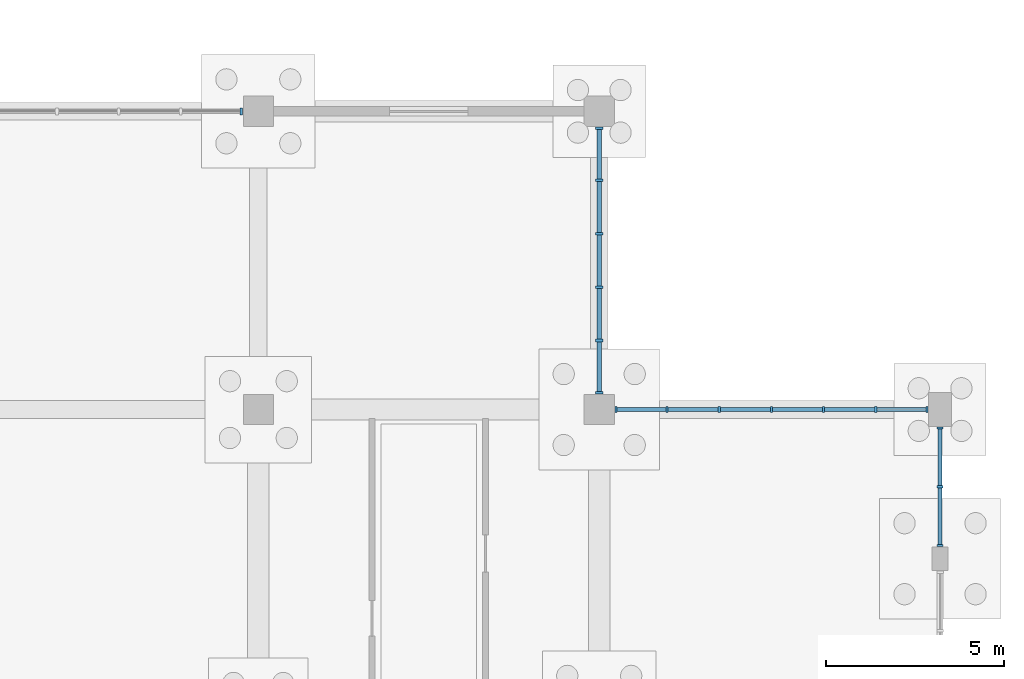
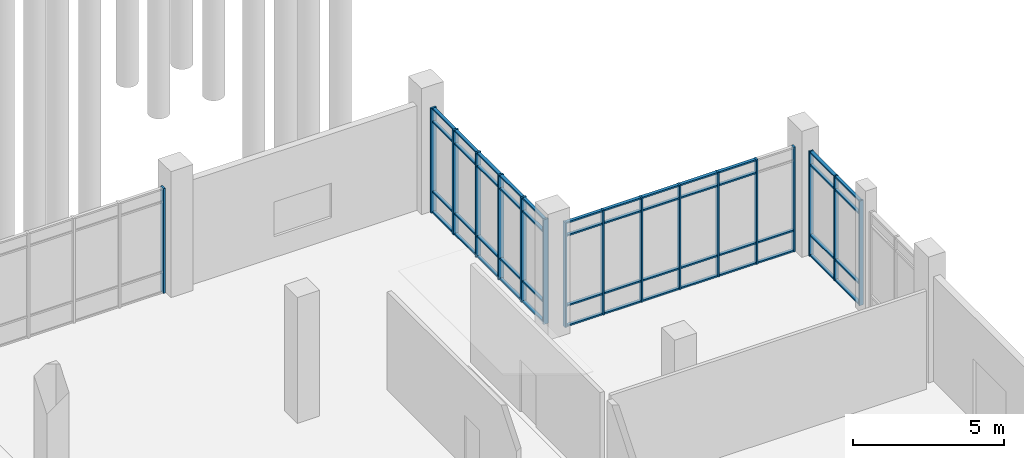
# One storey, part 63 of 136: 67 members, 4 elements without a shape of their own.
"""IFC4 building model written with IfcOpenShell, lengths in metres."""

from ifc_helpers import new_model, si_unit, direction, frame, origin, origin_2d, place, context, subcontext, project, spatial, rectangle, extrude, material, material_profile, profile_set, type_object, element, aggregate, save


model = new_model("IFC4")

# Units and contexts
model_context = context("Model", 3, precision=1e-05, world=origin(), true_north=direction((0.0, 1.0)))
body_context = subcontext(model_context, "Body", "Model", "MODEL_VIEW")
ifc_project = project(units=[si_unit("LENGTHUNIT", "METRE"), si_unit("AREAUNIT", "SQUARE_METRE"), si_unit("VOLUMEUNIT", "CUBIC_METRE"), si_unit("PLANEANGLEUNIT", "RADIAN"), si_unit("MASSUNIT", "GRAM", prefix="KILO")], contexts=[model_context])

# Site, building, storey
site_placement = place(None, origin())
site = spatial("IfcSite", under=ifc_project, at=site_placement, CompositionType="ELEMENT")
building_placement = place(site_placement, origin())
building = spatial("IfcBuilding", under=site, at=building_placement, Name="Oolite Switchyard Hospital", CompositionType="ELEMENT")
storey_placement = place(building_placement, origin())
storey = spatial("IfcBuildingStorey", under=building, at=storey_placement, Name="L00", CompositionType="ELEMENT", Elevation=0.0)

# Curtain wall, members
ifc_material_1 = material(Name="Thermally broken aluminum frame with laminated impact glazing", Category="aluminium")
curtain_wall_type_1 = type_object("IfcCurtainWallType", Name="CW-UNIT-96X51", PredefinedType="USERDEFINED", material=ifc_material_1)
curtain_wall_1_placement = place(storey_placement, origin())
curtain_wall_1 = element("IfcCurtainWall", 1, at=curtain_wall_1_placement, inside=storey, type_object=curtain_wall_type_1, Name="L00 Unitised Curtain Wall 24", ObjectType="UNITISED", PredefinedType="USERDEFINED")
ifc_material_2 = material(Name="Aluminium 6063-T6", Category="aluminium")
ifc_material_profile_1 = material_profile(ifc_material_2, rectangle(XDim=0.159912109375, YDim=0.06005859375, at=origin_2d()), Name="CWM60X160")
ifc_profile_set_1 = profile_set([ifc_material_profile_1], Name="Aluminium 6063-T6")
member_type_1 = type_object("IfcMemberType", Name="CW-MUL-180", PredefinedType="MULLION", material=ifc_profile_set_1)
member_1_placement = place(storey_placement, frame((202.070068359375, 67.199951171875, 0.0), z_axis=(0.0, 0.0, 1.0), x_axis=(0.0, 1.0, 0.0)))
member_1 = element("IfcMember", 2, at=member_1_placement, type_object=member_type_1, Name="CW-01 mullion 1", PredefinedType="MULLION", context=body_context, shape_type="SweptSolid", body=[
    extrude(rectangle(XDim=0.159912109375, YDim=0.06005859375, at=origin_2d()), origin(), (0.0, 0.0, 1.0), 4.239990234375),
])
member_2_placement = place(storey_placement, frame((203.510009765625, 67.199951171875, 0.0), z_axis=(0.0, 0.0, 1.0), x_axis=(0.0, 1.0, 0.0)))
member_2 = element("IfcMember", 3, at=member_2_placement, type_object=member_type_1, Name="CW-01 mullion 2", PredefinedType="MULLION", context=body_context, shape_type="SweptSolid", body=[
    extrude(rectangle(XDim=0.159912109375, YDim=0.06005859375, at=origin_2d()), origin(), (0.0, 0.0, 1.0), 4.239990234375),
])
member_3_placement = place(storey_placement, frame((204.97998046875, 67.199951171875, 0.0), z_axis=(0.0, 0.0, 1.0), x_axis=(0.0, 1.0, 0.0)))
member_3 = element("IfcMember", 4, at=member_3_placement, type_object=member_type_1, Name="CW-01 mullion 3", PredefinedType="MULLION", context=body_context, shape_type="SweptSolid", body=[
    extrude(rectangle(XDim=0.159912109375, YDim=0.06005859375, at=origin_2d()), origin(), (0.0, 0.0, 1.0), 4.239990234375),
])
member_4_placement = place(storey_placement, frame((206.449951171875, 67.199951171875, 0.0), z_axis=(0.0, 0.0, 1.0), x_axis=(0.0, 1.0, 0.0)))
member_4 = element("IfcMember", 5, at=member_4_placement, type_object=member_type_1, Name="CW-01 mullion 4", PredefinedType="MULLION", context=body_context, shape_type="SweptSolid", body=[
    extrude(rectangle(XDim=0.159912109375, YDim=0.06005859375, at=origin_2d()), origin(), (0.0, 0.0, 1.0), 4.239990234375),
])
member_5_placement = place(storey_placement, frame((207.919921875, 67.199951171875, 0.0), z_axis=(0.0, 0.0, 1.0), x_axis=(0.0, 1.0, 0.0)))
member_5 = element("IfcMember", 6, at=member_5_placement, type_object=member_type_1, Name="CW-01 mullion 5", PredefinedType="MULLION", context=body_context, shape_type="SweptSolid", body=[
    extrude(rectangle(XDim=0.159912109375, YDim=0.06005859375, at=origin_2d()), origin(), (0.0, 0.0, 1.0), 4.239990234375),
])
member_6_placement = place(storey_placement, frame((209.389892578125, 67.199951171875, 0.0), z_axis=(0.0, 0.0, 1.0), x_axis=(0.0, 1.0, 0.0)))
member_6 = element("IfcMember", 7, at=member_6_placement, type_object=member_type_1, Name="CW-01 mullion 6", PredefinedType="MULLION", context=body_context, shape_type="SweptSolid", body=[
    extrude(rectangle(XDim=0.159912109375, YDim=0.06005859375, at=origin_2d()), origin(), (0.0, 0.0, 1.0), 4.239990234375),
])
member_7_placement = place(storey_placement, frame((210.830078125, 67.199951171875, 0.0), z_axis=(0.0, 0.0, 1.0), x_axis=(0.0, 1.0, 0.0)))
member_7 = element("IfcMember", 8, at=member_7_placement, type_object=member_type_1, Name="CW-01 mullion 7", PredefinedType="MULLION", context=body_context, shape_type="SweptSolid", body=[
    extrude(rectangle(XDim=0.159912109375, YDim=0.06005859375, at=origin_2d()), origin(), (0.0, 0.0, 1.0), 4.239990234375),
])

curtain_wall_type_2 = type_object("IfcCurtainWallType", Name="CW-UNIT-84X51", PredefinedType="USERDEFINED", material=ifc_material_1)
curtain_wall_2_placement = place(storey_placement, origin())
curtain_wall_2 = element("IfcCurtainWall", 9, at=curtain_wall_2_placement, inside=storey, type_object=curtain_wall_type_2, Name="L00 Unitised Curtain Wall 90", ObjectType="UNITISED", PredefinedType="USERDEFINED")
member_8_placement = place(storey_placement, frame((211.199951171875, 66.679931640625, 0.0), z_axis=(0.0, 0.0, 1.0), x_axis=(1.0, 0.0, 0.0)))
member_8 = element("IfcMember", 10, at=member_8_placement, type_object=member_type_1, Name="CW-06 mullion 1", PredefinedType="MULLION", context=body_context, shape_type="SweptSolid", body=[
    extrude(rectangle(XDim=0.159912109375, YDim=0.06005859375, at=origin_2d()), origin(), (0.0, 0.0, 1.0), 4.239990234375),
])
member_9_placement = place(storey_placement, frame((211.199951171875, 65.02490234375, 0.0), z_axis=(0.0, 0.0, 1.0), x_axis=(1.0, 0.0, 0.0)))
member_9 = element("IfcMember", 11, at=member_9_placement, type_object=member_type_1, Name="CW-06 mullion 2", PredefinedType="MULLION", context=body_context, shape_type="SweptSolid", body=[
    extrude(rectangle(XDim=0.159912109375, YDim=0.06005859375, at=origin_2d()), origin(), (0.0, 0.0, 1.0), 4.239990234375),
])
member_10_placement = place(storey_placement, frame((211.199951171875, 63.3701171875, 0.0), z_axis=(0.0, 0.0, 1.0), x_axis=(1.0, 0.0, 0.0)))
member_10 = element("IfcMember", 12, at=member_10_placement, type_object=member_type_1, Name="CW-06 mullion 3", PredefinedType="MULLION", context=body_context, shape_type="SweptSolid", body=[
    extrude(rectangle(XDim=0.159912109375, YDim=0.06005859375, at=origin_2d()), origin(), (0.0, 0.0, 1.0), 4.239990234375),
])

# Curtain wall, member
curtain_wall_3_placement = place(storey_placement, origin())
curtain_wall_3 = element("IfcCurtainWall", 13, at=curtain_wall_3_placement, inside=storey, type_object=curtain_wall_type_1, Name="L00 Unitised Curtain Wall 26", ObjectType="UNITISED", PredefinedType="USERDEFINED")
ifc_material_profile_2 = material_profile(ifc_material_2, rectangle(XDim=0.199951171875, YDim=0.074951171875, at=origin_2d()), Name="CWM75X200")
ifc_profile_set_2 = profile_set([ifc_material_profile_2], Name="Aluminium 6063-T6")
member_type_2 = type_object("IfcMemberType", Name="CW-MUL-260", PredefinedType="MULLION", material=ifc_profile_set_2)
member_11_placement = place(storey_placement, frame((191.5224609375, 75.60009765625, 0.0), z_axis=(0.0, 0.0, 1.0), x_axis=(0.0, 1.0, 0.0)))
member_11 = element("IfcMember", 14, at=member_11_placement, type_object=member_type_2, Name="CW-01 mullion 6", PredefinedType="MULLION", context=body_context, shape_type="SweptSolid", body=[
    extrude(rectangle(XDim=0.199951171875, YDim=0.074951171875, at=origin_2d()), origin(), (0.0, 0.0, 1.0), 4.239990234375),
])
aggregate(curtain_wall_3, [member_11])

# Curtain wall, members
curtain_wall_4_placement = place(storey_placement, origin())
curtain_wall_4 = element("IfcCurtainWall", 15, at=curtain_wall_4_placement, inside=storey, type_object=curtain_wall_type_2, Name="L00 Unitised Curtain Wall 86", ObjectType="UNITISED", PredefinedType="USERDEFINED")
member_12_placement = place(storey_placement, frame((201.60009765625, 75.12255859375, 0.0), z_axis=(0.0, 0.0, 1.0), x_axis=(1.0, 0.0, 0.0)))
member_12 = element("IfcMember", 16, at=member_12_placement, type_object=member_type_2, Name="CW-06 mullion 1", PredefinedType="MULLION", context=body_context, shape_type="SweptSolid", body=[
    extrude(rectangle(XDim=0.199951171875, YDim=0.074951171875, at=origin_2d()), origin(), (0.0, 0.0, 1.0), 4.239990234375),
])
member_13_placement = place(storey_placement, frame((201.60009765625, 73.656005859375, 0.0), z_axis=(0.0, 0.0, 1.0), x_axis=(1.0, 0.0, 0.0)))
member_13 = element("IfcMember", 17, at=member_13_placement, type_object=member_type_2, Name="CW-06 mullion 2", PredefinedType="MULLION", context=body_context, shape_type="SweptSolid", body=[
    extrude(rectangle(XDim=0.199951171875, YDim=0.074951171875, at=origin_2d()), origin(), (0.0, 0.0, 1.0), 4.239990234375),
])
member_14_placement = place(storey_placement, frame((201.60009765625, 72.152099609375, 0.0), z_axis=(0.0, 0.0, 1.0), x_axis=(1.0, 0.0, 0.0)))
member_14 = element("IfcMember", 18, at=member_14_placement, type_object=member_type_2, Name="CW-06 mullion 3", PredefinedType="MULLION", context=body_context, shape_type="SweptSolid", body=[
    extrude(rectangle(XDim=0.199951171875, YDim=0.074951171875, at=origin_2d()), origin(), (0.0, 0.0, 1.0), 4.239990234375),
])
member_15_placement = place(storey_placement, frame((201.60009765625, 70.64794921875, 0.0), z_axis=(0.0, 0.0, 1.0), x_axis=(1.0, 0.0, 0.0)))
member_15 = element("IfcMember", 19, at=member_15_placement, type_object=member_type_2, Name="CW-06 mullion 4", PredefinedType="MULLION", context=body_context, shape_type="SweptSolid", body=[
    extrude(rectangle(XDim=0.199951171875, YDim=0.074951171875, at=origin_2d()), origin(), (0.0, 0.0, 1.0), 4.239990234375),
])
member_16_placement = place(storey_placement, frame((201.60009765625, 69.14404296875, 0.0), z_axis=(0.0, 0.0, 1.0), x_axis=(1.0, 0.0, 0.0)))
member_16 = element("IfcMember", 20, at=member_16_placement, type_object=member_type_2, Name="CW-06 mullion 5", PredefinedType="MULLION", context=body_context, shape_type="SweptSolid", body=[
    extrude(rectangle(XDim=0.199951171875, YDim=0.074951171875, at=origin_2d()), origin(), (0.0, 0.0, 1.0), 4.239990234375),
])
member_17_placement = place(storey_placement, frame((201.60009765625, 67.677490234375, 0.0), z_axis=(0.0, 0.0, 1.0), x_axis=(1.0, 0.0, 0.0)))
member_17 = element("IfcMember", 21, at=member_17_placement, type_object=member_type_2, Name="CW-06 mullion 6", PredefinedType="MULLION", context=body_context, shape_type="SweptSolid", body=[
    extrude(rectangle(XDim=0.199951171875, YDim=0.074951171875, at=origin_2d()), origin(), (0.0, 0.0, 1.0), 4.239990234375),
])

# Member
ifc_material_profile_3 = material_profile(ifc_material_2, rectangle(XDim=0.1201171875, YDim=0.06005859375, at=origin_2d()), Name="CWT60X120")
ifc_profile_set_3 = profile_set([ifc_material_profile_3], Name="Aluminium 6063-T6")
member_type_3 = type_object("IfcMemberType", Name="CW-TRN-150", PredefinedType="USERDEFINED", material=ifc_profile_set_3)
member_18_placement = place(storey_placement, frame((202.10009765625, 67.199951171875, 0.030029296875), z_axis=(1.0, 0.0, 0.0), x_axis=(0.0, 1.0, 0.0)))
member_18 = element("IfcMember", 22, at=member_18_placement, type_object=member_type_3, Name="CW-01 transom 1.1", ObjectType="TRANSOM", PredefinedType="USERDEFINED", context=body_context, shape_type="SweptSolid", body=[
    extrude(rectangle(XDim=0.1201171875, YDim=0.06005859375, at=origin_2d()), origin(), (0.0, 0.0, 1.0), 1.3798828125),
])

member_19_placement = place(storey_placement, frame((202.10009765625, 67.199951171875, 0.85009765625), z_axis=(1.0, 0.0, 0.0), x_axis=(0.0, 1.0, 0.0)))
member_19 = element("IfcMember", 23, at=member_19_placement, type_object=member_type_3, Name="CW-01 transom 1.2", ObjectType="TRANSOM", PredefinedType="USERDEFINED", context=body_context, shape_type="SweptSolid", body=[
    extrude(rectangle(XDim=0.1201171875, YDim=0.06005859375, at=origin_2d()), origin(), (0.0, 0.0, 1.0), 1.3798828125),
])

member_20_placement = place(storey_placement, frame((202.10009765625, 67.199951171875, 3.68994140625), z_axis=(1.0, 0.0, 0.0), x_axis=(0.0, 1.0, 0.0)))
member_20 = element("IfcMember", 24, at=member_20_placement, type_object=member_type_3, Name="CW-01 transom 1.3", ObjectType="TRANSOM", PredefinedType="USERDEFINED", context=body_context, shape_type="SweptSolid", body=[
    extrude(rectangle(XDim=0.1201171875, YDim=0.06005859375, at=origin_2d()), origin(), (0.0, 0.0, 1.0), 1.3798828125),
])

member_21_placement = place(storey_placement, frame((202.10009765625, 67.199951171875, 4.2099609375), z_axis=(1.0, 0.0, 0.0), x_axis=(0.0, 1.0, 0.0)))
member_21 = element("IfcMember", 25, at=member_21_placement, type_object=member_type_3, Name="CW-01 transom 1.4", ObjectType="TRANSOM", PredefinedType="USERDEFINED", context=body_context, shape_type="SweptSolid", body=[
    extrude(rectangle(XDim=0.1201171875, YDim=0.06005859375, at=origin_2d()), origin(), (0.0, 0.0, 1.0), 1.3798828125),
])

member_22_placement = place(storey_placement, frame((203.5400390625, 67.199951171875, 0.030029296875), z_axis=(1.0, 0.0, 0.0), x_axis=(0.0, 1.0, 0.0)))
member_22 = element("IfcMember", 26, at=member_22_placement, type_object=member_type_3, Name="CW-01 transom 2.1", ObjectType="TRANSOM", PredefinedType="USERDEFINED", context=body_context, shape_type="SweptSolid", body=[
    extrude(rectangle(XDim=0.1201171875, YDim=0.06005859375, at=origin_2d()), origin(), (0.0, 0.0, 1.0), 1.409912109375),
])

member_23_placement = place(storey_placement, frame((203.5400390625, 67.199951171875, 0.85009765625), z_axis=(1.0, 0.0, 0.0), x_axis=(0.0, 1.0, 0.0)))
member_23 = element("IfcMember", 27, at=member_23_placement, type_object=member_type_3, Name="CW-01 transom 2.2", ObjectType="TRANSOM", PredefinedType="USERDEFINED", context=body_context, shape_type="SweptSolid", body=[
    extrude(rectangle(XDim=0.1201171875, YDim=0.06005859375, at=origin_2d()), origin(), (0.0, 0.0, 1.0), 1.409912109375),
])

member_24_placement = place(storey_placement, frame((203.5400390625, 67.199951171875, 3.68994140625), z_axis=(1.0, 0.0, 0.0), x_axis=(0.0, 1.0, 0.0)))
member_24 = element("IfcMember", 28, at=member_24_placement, type_object=member_type_3, Name="CW-01 transom 2.3", ObjectType="TRANSOM", PredefinedType="USERDEFINED", context=body_context, shape_type="SweptSolid", body=[
    extrude(rectangle(XDim=0.1201171875, YDim=0.06005859375, at=origin_2d()), origin(), (0.0, 0.0, 1.0), 1.409912109375),
])

member_25_placement = place(storey_placement, frame((203.5400390625, 67.199951171875, 4.2099609375), z_axis=(1.0, 0.0, 0.0), x_axis=(0.0, 1.0, 0.0)))
member_25 = element("IfcMember", 29, at=member_25_placement, type_object=member_type_3, Name="CW-01 transom 2.4", ObjectType="TRANSOM", PredefinedType="USERDEFINED", context=body_context, shape_type="SweptSolid", body=[
    extrude(rectangle(XDim=0.1201171875, YDim=0.06005859375, at=origin_2d()), origin(), (0.0, 0.0, 1.0), 1.409912109375),
])

member_26_placement = place(storey_placement, frame((205.010009765625, 67.199951171875, 0.030029296875), z_axis=(1.0, 0.0, 0.0), x_axis=(0.0, 1.0, 0.0)))
member_26 = element("IfcMember", 30, at=member_26_placement, type_object=member_type_3, Name="CW-01 transom 3.1", ObjectType="TRANSOM", PredefinedType="USERDEFINED", context=body_context, shape_type="SweptSolid", body=[
    extrude(rectangle(XDim=0.1201171875, YDim=0.06005859375, at=origin_2d()), origin(), (0.0, 0.0, 1.0), 1.409912109375),
])

member_27_placement = place(storey_placement, frame((205.010009765625, 67.199951171875, 0.85009765625), z_axis=(1.0, 0.0, 0.0), x_axis=(0.0, 1.0, 0.0)))
member_27 = element("IfcMember", 31, at=member_27_placement, type_object=member_type_3, Name="CW-01 transom 3.2", ObjectType="TRANSOM", PredefinedType="USERDEFINED", context=body_context, shape_type="SweptSolid", body=[
    extrude(rectangle(XDim=0.1201171875, YDim=0.06005859375, at=origin_2d()), origin(), (0.0, 0.0, 1.0), 1.409912109375),
])

member_28_placement = place(storey_placement, frame((205.010009765625, 67.199951171875, 3.68994140625), z_axis=(1.0, 0.0, 0.0), x_axis=(0.0, 1.0, 0.0)))
member_28 = element("IfcMember", 32, at=member_28_placement, type_object=member_type_3, Name="CW-01 transom 3.3", ObjectType="TRANSOM", PredefinedType="USERDEFINED", context=body_context, shape_type="SweptSolid", body=[
    extrude(rectangle(XDim=0.1201171875, YDim=0.06005859375, at=origin_2d()), origin(), (0.0, 0.0, 1.0), 1.409912109375),
])

member_29_placement = place(storey_placement, frame((205.010009765625, 67.199951171875, 4.2099609375), z_axis=(1.0, 0.0, 0.0), x_axis=(0.0, 1.0, 0.0)))
member_29 = element("IfcMember", 33, at=member_29_placement, type_object=member_type_3, Name="CW-01 transom 3.4", ObjectType="TRANSOM", PredefinedType="USERDEFINED", context=body_context, shape_type="SweptSolid", body=[
    extrude(rectangle(XDim=0.1201171875, YDim=0.06005859375, at=origin_2d()), origin(), (0.0, 0.0, 1.0), 1.409912109375),
])

member_30_placement = place(storey_placement, frame((206.47998046875, 67.199951171875, 0.030029296875), z_axis=(1.0, 0.0, 0.0), x_axis=(0.0, 1.0, 0.0)))
member_30 = element("IfcMember", 34, at=member_30_placement, type_object=member_type_3, Name="CW-01 transom 4.1", ObjectType="TRANSOM", PredefinedType="USERDEFINED", context=body_context, shape_type="SweptSolid", body=[
    extrude(rectangle(XDim=0.1201171875, YDim=0.06005859375, at=origin_2d()), origin(), (0.0, 0.0, 1.0), 1.409912109375),
])

member_31_placement = place(storey_placement, frame((206.47998046875, 67.199951171875, 0.85009765625), z_axis=(1.0, 0.0, 0.0), x_axis=(0.0, 1.0, 0.0)))
member_31 = element("IfcMember", 35, at=member_31_placement, type_object=member_type_3, Name="CW-01 transom 4.2", ObjectType="TRANSOM", PredefinedType="USERDEFINED", context=body_context, shape_type="SweptSolid", body=[
    extrude(rectangle(XDim=0.1201171875, YDim=0.06005859375, at=origin_2d()), origin(), (0.0, 0.0, 1.0), 1.409912109375),
])

member_32_placement = place(storey_placement, frame((206.47998046875, 67.199951171875, 3.68994140625), z_axis=(1.0, 0.0, 0.0), x_axis=(0.0, 1.0, 0.0)))
member_32 = element("IfcMember", 36, at=member_32_placement, type_object=member_type_3, Name="CW-01 transom 4.3", ObjectType="TRANSOM", PredefinedType="USERDEFINED", context=body_context, shape_type="SweptSolid", body=[
    extrude(rectangle(XDim=0.1201171875, YDim=0.06005859375, at=origin_2d()), origin(), (0.0, 0.0, 1.0), 1.409912109375),
])

member_33_placement = place(storey_placement, frame((206.47998046875, 67.199951171875, 4.2099609375), z_axis=(1.0, 0.0, 0.0), x_axis=(0.0, 1.0, 0.0)))
member_33 = element("IfcMember", 37, at=member_33_placement, type_object=member_type_3, Name="CW-01 transom 4.4", ObjectType="TRANSOM", PredefinedType="USERDEFINED", context=body_context, shape_type="SweptSolid", body=[
    extrude(rectangle(XDim=0.1201171875, YDim=0.06005859375, at=origin_2d()), origin(), (0.0, 0.0, 1.0), 1.409912109375),
])

member_34_placement = place(storey_placement, frame((207.949951171875, 67.199951171875, 0.030029296875), z_axis=(1.0, 0.0, 0.0), x_axis=(0.0, 1.0, 0.0)))
member_34 = element("IfcMember", 38, at=member_34_placement, type_object=member_type_3, Name="CW-01 transom 5.1", ObjectType="TRANSOM", PredefinedType="USERDEFINED", context=body_context, shape_type="SweptSolid", body=[
    extrude(rectangle(XDim=0.1201171875, YDim=0.06005859375, at=origin_2d()), origin(), (0.0, 0.0, 1.0), 1.41015625),
])

member_35_placement = place(storey_placement, frame((207.949951171875, 67.199951171875, 0.85009765625), z_axis=(1.0, 0.0, 0.0), x_axis=(0.0, 1.0, 0.0)))
member_35 = element("IfcMember", 39, at=member_35_placement, type_object=member_type_3, Name="CW-01 transom 5.2", ObjectType="TRANSOM", PredefinedType="USERDEFINED", context=body_context, shape_type="SweptSolid", body=[
    extrude(rectangle(XDim=0.1201171875, YDim=0.06005859375, at=origin_2d()), origin(), (0.0, 0.0, 1.0), 1.41015625),
])

member_36_placement = place(storey_placement, frame((207.949951171875, 67.199951171875, 3.68994140625), z_axis=(1.0, 0.0, 0.0), x_axis=(0.0, 1.0, 0.0)))
member_36 = element("IfcMember", 40, at=member_36_placement, type_object=member_type_3, Name="CW-01 transom 5.3", ObjectType="TRANSOM", PredefinedType="USERDEFINED", context=body_context, shape_type="SweptSolid", body=[
    extrude(rectangle(XDim=0.1201171875, YDim=0.06005859375, at=origin_2d()), origin(), (0.0, 0.0, 1.0), 1.41015625),
])

member_37_placement = place(storey_placement, frame((207.949951171875, 67.199951171875, 4.2099609375), z_axis=(1.0, 0.0, 0.0), x_axis=(0.0, 1.0, 0.0)))
member_37 = element("IfcMember", 41, at=member_37_placement, type_object=member_type_3, Name="CW-01 transom 5.4", ObjectType="TRANSOM", PredefinedType="USERDEFINED", context=body_context, shape_type="SweptSolid", body=[
    extrude(rectangle(XDim=0.1201171875, YDim=0.06005859375, at=origin_2d()), origin(), (0.0, 0.0, 1.0), 1.41015625),
])

member_38_placement = place(storey_placement, frame((209.419921875, 67.199951171875, 0.030029296875), z_axis=(1.0, 0.0, 0.0), x_axis=(0.0, 1.0, 0.0)))
member_38 = element("IfcMember", 42, at=member_38_placement, type_object=member_type_3, Name="CW-01 transom 6.1", ObjectType="TRANSOM", PredefinedType="USERDEFINED", context=body_context, shape_type="SweptSolid", body=[
    extrude(rectangle(XDim=0.1201171875, YDim=0.06005859375, at=origin_2d()), origin(), (0.0, 0.0, 1.0), 1.380126953125),
])

member_39_placement = place(storey_placement, frame((209.419921875, 67.199951171875, 0.85009765625), z_axis=(1.0, 0.0, 0.0), x_axis=(0.0, 1.0, 0.0)))
member_39 = element("IfcMember", 43, at=member_39_placement, type_object=member_type_3, Name="CW-01 transom 6.2", ObjectType="TRANSOM", PredefinedType="USERDEFINED", context=body_context, shape_type="SweptSolid", body=[
    extrude(rectangle(XDim=0.1201171875, YDim=0.06005859375, at=origin_2d()), origin(), (0.0, 0.0, 1.0), 1.380126953125),
])

aggregate(curtain_wall_1, [member_1, member_2, member_3, member_4, member_5, member_6, member_7, member_18, member_19, member_20, member_21, member_22, member_23, member_24, member_25, member_26, member_27, member_28, member_29, member_30, member_31, member_32, member_33, member_34, member_35, member_36, member_37, member_38, member_39])

member_40_placement = place(storey_placement, frame((201.60009765625, 75.0849609375, 0.030029296875), z_axis=(0.0, -1.0, 0.0), x_axis=(1.0, 0.0, 0.0)))
member_40 = element("IfcMember", 44, at=member_40_placement, type_object=member_type_3, Name="CW-06 transom 1.1", ObjectType="TRANSOM", PredefinedType="USERDEFINED", context=body_context, shape_type="SweptSolid", body=[
    extrude(rectangle(XDim=0.1201171875, YDim=0.06005859375, at=origin_2d()), origin(), (0.0, 0.0, 1.0), 1.391357421875),
])

member_41_placement = place(storey_placement, frame((201.60009765625, 75.0849609375, 0.85009765625), z_axis=(0.0, -1.0, 0.0), x_axis=(1.0, 0.0, 0.0)))
member_41 = element("IfcMember", 45, at=member_41_placement, type_object=member_type_3, Name="CW-06 transom 1.2", ObjectType="TRANSOM", PredefinedType="USERDEFINED", context=body_context, shape_type="SweptSolid", body=[
    extrude(rectangle(XDim=0.1201171875, YDim=0.06005859375, at=origin_2d()), origin(), (0.0, 0.0, 1.0), 1.391357421875),
])

member_42_placement = place(storey_placement, frame((201.60009765625, 75.0849609375, 3.68994140625), z_axis=(0.0, -1.0, 0.0), x_axis=(1.0, 0.0, 0.0)))
member_42 = element("IfcMember", 46, at=member_42_placement, type_object=member_type_3, Name="CW-06 transom 1.3", ObjectType="TRANSOM", PredefinedType="USERDEFINED", context=body_context, shape_type="SweptSolid", body=[
    extrude(rectangle(XDim=0.1201171875, YDim=0.06005859375, at=origin_2d()), origin(), (0.0, 0.0, 1.0), 1.391357421875),
])

member_43_placement = place(storey_placement, frame((201.60009765625, 75.0849609375, 4.2099609375), z_axis=(0.0, -1.0, 0.0), x_axis=(1.0, 0.0, 0.0)))
member_43 = element("IfcMember", 47, at=member_43_placement, type_object=member_type_3, Name="CW-06 transom 1.4", ObjectType="TRANSOM", PredefinedType="USERDEFINED", context=body_context, shape_type="SweptSolid", body=[
    extrude(rectangle(XDim=0.1201171875, YDim=0.06005859375, at=origin_2d()), origin(), (0.0, 0.0, 1.0), 1.391357421875),
])

member_44_placement = place(storey_placement, frame((201.60009765625, 73.618408203125, 0.030029296875), z_axis=(0.0, -1.0, 0.0), x_axis=(1.0, 0.0, 0.0)))
member_44 = element("IfcMember", 48, at=member_44_placement, type_object=member_type_3, Name="CW-06 transom 2.1", ObjectType="TRANSOM", PredefinedType="USERDEFINED", context=body_context, shape_type="SweptSolid", body=[
    extrude(rectangle(XDim=0.1201171875, YDim=0.06005859375, at=origin_2d()), origin(), (0.0, 0.0, 1.0), 1.428955078125),
])

member_45_placement = place(storey_placement, frame((201.60009765625, 73.618408203125, 0.85009765625), z_axis=(0.0, -1.0, 0.0), x_axis=(1.0, 0.0, 0.0)))
member_45 = element("IfcMember", 49, at=member_45_placement, type_object=member_type_3, Name="CW-06 transom 2.2", ObjectType="TRANSOM", PredefinedType="USERDEFINED", context=body_context, shape_type="SweptSolid", body=[
    extrude(rectangle(XDim=0.1201171875, YDim=0.06005859375, at=origin_2d()), origin(), (0.0, 0.0, 1.0), 1.428955078125),
])

member_46_placement = place(storey_placement, frame((201.60009765625, 73.618408203125, 3.68994140625), z_axis=(0.0, -1.0, 0.0), x_axis=(1.0, 0.0, 0.0)))
member_46 = element("IfcMember", 50, at=member_46_placement, type_object=member_type_3, Name="CW-06 transom 2.3", ObjectType="TRANSOM", PredefinedType="USERDEFINED", context=body_context, shape_type="SweptSolid", body=[
    extrude(rectangle(XDim=0.1201171875, YDim=0.06005859375, at=origin_2d()), origin(), (0.0, 0.0, 1.0), 1.428955078125),
])

member_47_placement = place(storey_placement, frame((201.60009765625, 73.618408203125, 4.2099609375), z_axis=(0.0, -1.0, 0.0), x_axis=(1.0, 0.0, 0.0)))
member_47 = element("IfcMember", 51, at=member_47_placement, type_object=member_type_3, Name="CW-06 transom 2.4", ObjectType="TRANSOM", PredefinedType="USERDEFINED", context=body_context, shape_type="SweptSolid", body=[
    extrude(rectangle(XDim=0.1201171875, YDim=0.06005859375, at=origin_2d()), origin(), (0.0, 0.0, 1.0), 1.428955078125),
])

member_48_placement = place(storey_placement, frame((201.60009765625, 72.114501953125, 0.030029296875), z_axis=(0.0, -1.0, 0.0), x_axis=(1.0, 0.0, 0.0)))
member_48 = element("IfcMember", 52, at=member_48_placement, type_object=member_type_3, Name="CW-06 transom 3.1", ObjectType="TRANSOM", PredefinedType="USERDEFINED", context=body_context, shape_type="SweptSolid", body=[
    extrude(rectangle(XDim=0.1201171875, YDim=0.06005859375, at=origin_2d()), origin(), (0.0, 0.0, 1.0), 1.428955078125),
])

member_49_placement = place(storey_placement, frame((201.60009765625, 72.114501953125, 0.85009765625), z_axis=(0.0, -1.0, 0.0), x_axis=(1.0, 0.0, 0.0)))
member_49 = element("IfcMember", 53, at=member_49_placement, type_object=member_type_3, Name="CW-06 transom 3.2", ObjectType="TRANSOM", PredefinedType="USERDEFINED", context=body_context, shape_type="SweptSolid", body=[
    extrude(rectangle(XDim=0.1201171875, YDim=0.06005859375, at=origin_2d()), origin(), (0.0, 0.0, 1.0), 1.428955078125),
])

member_50_placement = place(storey_placement, frame((201.60009765625, 72.114501953125, 3.68994140625), z_axis=(0.0, -1.0, 0.0), x_axis=(1.0, 0.0, 0.0)))
member_50 = element("IfcMember", 54, at=member_50_placement, type_object=member_type_3, Name="CW-06 transom 3.3", ObjectType="TRANSOM", PredefinedType="USERDEFINED", context=body_context, shape_type="SweptSolid", body=[
    extrude(rectangle(XDim=0.1201171875, YDim=0.06005859375, at=origin_2d()), origin(), (0.0, 0.0, 1.0), 1.428955078125),
])

member_51_placement = place(storey_placement, frame((201.60009765625, 72.114501953125, 4.2099609375), z_axis=(0.0, -1.0, 0.0), x_axis=(1.0, 0.0, 0.0)))
member_51 = element("IfcMember", 55, at=member_51_placement, type_object=member_type_3, Name="CW-06 transom 3.4", ObjectType="TRANSOM", PredefinedType="USERDEFINED", context=body_context, shape_type="SweptSolid", body=[
    extrude(rectangle(XDim=0.1201171875, YDim=0.06005859375, at=origin_2d()), origin(), (0.0, 0.0, 1.0), 1.428955078125),
])

member_52_placement = place(storey_placement, frame((201.60009765625, 70.610595703125, 0.030029296875), z_axis=(0.0, -1.0, 0.0), x_axis=(1.0, 0.0, 0.0)))
member_52 = element("IfcMember", 56, at=member_52_placement, type_object=member_type_3, Name="CW-06 transom 4.1", ObjectType="TRANSOM", PredefinedType="USERDEFINED", context=body_context, shape_type="SweptSolid", body=[
    extrude(rectangle(XDim=0.1201171875, YDim=0.06005859375, at=origin_2d()), origin(), (0.0, 0.0, 1.0), 1.42919921875),
])

member_53_placement = place(storey_placement, frame((201.60009765625, 70.610595703125, 0.85009765625), z_axis=(0.0, -1.0, 0.0), x_axis=(1.0, 0.0, 0.0)))
member_53 = element("IfcMember", 57, at=member_53_placement, type_object=member_type_3, Name="CW-06 transom 4.2", ObjectType="TRANSOM", PredefinedType="USERDEFINED", context=body_context, shape_type="SweptSolid", body=[
    extrude(rectangle(XDim=0.1201171875, YDim=0.06005859375, at=origin_2d()), origin(), (0.0, 0.0, 1.0), 1.42919921875),
])

member_54_placement = place(storey_placement, frame((201.60009765625, 70.610595703125, 3.68994140625), z_axis=(0.0, -1.0, 0.0), x_axis=(1.0, 0.0, 0.0)))
member_54 = element("IfcMember", 58, at=member_54_placement, type_object=member_type_3, Name="CW-06 transom 4.3", ObjectType="TRANSOM", PredefinedType="USERDEFINED", context=body_context, shape_type="SweptSolid", body=[
    extrude(rectangle(XDim=0.1201171875, YDim=0.06005859375, at=origin_2d()), origin(), (0.0, 0.0, 1.0), 1.42919921875),
])

member_55_placement = place(storey_placement, frame((201.60009765625, 70.610595703125, 4.2099609375), z_axis=(0.0, -1.0, 0.0), x_axis=(1.0, 0.0, 0.0)))
member_55 = element("IfcMember", 59, at=member_55_placement, type_object=member_type_3, Name="CW-06 transom 4.4", ObjectType="TRANSOM", PredefinedType="USERDEFINED", context=body_context, shape_type="SweptSolid", body=[
    extrude(rectangle(XDim=0.1201171875, YDim=0.06005859375, at=origin_2d()), origin(), (0.0, 0.0, 1.0), 1.42919921875),
])

member_56_placement = place(storey_placement, frame((201.60009765625, 69.1064453125, 0.030029296875), z_axis=(0.0, -1.0, 0.0), x_axis=(1.0, 0.0, 0.0)))
member_56 = element("IfcMember", 60, at=member_56_placement, type_object=member_type_3, Name="CW-06 transom 5.1", ObjectType="TRANSOM", PredefinedType="USERDEFINED", context=body_context, shape_type="SweptSolid", body=[
    extrude(rectangle(XDim=0.1201171875, YDim=0.06005859375, at=origin_2d()), origin(), (0.0, 0.0, 1.0), 1.391357421875),
])

member_57_placement = place(storey_placement, frame((201.60009765625, 69.1064453125, 0.85009765625), z_axis=(0.0, -1.0, 0.0), x_axis=(1.0, 0.0, 0.0)))
member_57 = element("IfcMember", 61, at=member_57_placement, type_object=member_type_3, Name="CW-06 transom 5.2", ObjectType="TRANSOM", PredefinedType="USERDEFINED", context=body_context, shape_type="SweptSolid", body=[
    extrude(rectangle(XDim=0.1201171875, YDim=0.06005859375, at=origin_2d()), origin(), (0.0, 0.0, 1.0), 1.391357421875),
])

member_58_placement = place(storey_placement, frame((201.60009765625, 69.1064453125, 3.68994140625), z_axis=(0.0, -1.0, 0.0), x_axis=(1.0, 0.0, 0.0)))
member_58 = element("IfcMember", 62, at=member_58_placement, type_object=member_type_3, Name="CW-06 transom 5.3", ObjectType="TRANSOM", PredefinedType="USERDEFINED", context=body_context, shape_type="SweptSolid", body=[
    extrude(rectangle(XDim=0.1201171875, YDim=0.06005859375, at=origin_2d()), origin(), (0.0, 0.0, 1.0), 1.391357421875),
])

member_59_placement = place(storey_placement, frame((201.60009765625, 69.1064453125, 4.2099609375), z_axis=(0.0, -1.0, 0.0), x_axis=(1.0, 0.0, 0.0)))
member_59 = element("IfcMember", 63, at=member_59_placement, type_object=member_type_3, Name="CW-06 transom 5.4", ObjectType="TRANSOM", PredefinedType="USERDEFINED", context=body_context, shape_type="SweptSolid", body=[
    extrude(rectangle(XDim=0.1201171875, YDim=0.06005859375, at=origin_2d()), origin(), (0.0, 0.0, 1.0), 1.391357421875),
])

aggregate(curtain_wall_4, [member_12, member_13, member_14, member_15, member_16, member_17, member_40, member_41, member_42, member_43, member_44, member_45, member_46, member_47, member_48, member_49, member_50, member_51, member_52, member_53, member_54, member_55, member_56, member_57, member_58, member_59])

member_60_placement = place(storey_placement, frame((211.199951171875, 66.64990234375, 0.030029296875), z_axis=(0.0, -1.0, 0.0), x_axis=(1.0, 0.0, 0.0)))
member_60 = element("IfcMember", 64, at=member_60_placement, type_object=member_type_3, Name="CW-06 transom 1.1", ObjectType="TRANSOM", PredefinedType="USERDEFINED", context=body_context, shape_type="SweptSolid", body=[
    extrude(rectangle(XDim=0.1201171875, YDim=0.06005859375, at=origin_2d()), origin(), (0.0, 0.0, 1.0), 1.594970703125),
])

member_61_placement = place(storey_placement, frame((211.199951171875, 66.64990234375, 0.85009765625), z_axis=(0.0, -1.0, 0.0), x_axis=(1.0, 0.0, 0.0)))
member_61 = element("IfcMember", 65, at=member_61_placement, type_object=member_type_3, Name="CW-06 transom 1.2", ObjectType="TRANSOM", PredefinedType="USERDEFINED", context=body_context, shape_type="SweptSolid", body=[
    extrude(rectangle(XDim=0.1201171875, YDim=0.06005859375, at=origin_2d()), origin(), (0.0, 0.0, 1.0), 1.594970703125),
])

member_62_placement = place(storey_placement, frame((211.199951171875, 66.64990234375, 3.68994140625), z_axis=(0.0, -1.0, 0.0), x_axis=(1.0, 0.0, 0.0)))
member_62 = element("IfcMember", 66, at=member_62_placement, type_object=member_type_3, Name="CW-06 transom 1.3", ObjectType="TRANSOM", PredefinedType="USERDEFINED", context=body_context, shape_type="SweptSolid", body=[
    extrude(rectangle(XDim=0.1201171875, YDim=0.06005859375, at=origin_2d()), origin(), (0.0, 0.0, 1.0), 1.594970703125),
])

member_63_placement = place(storey_placement, frame((211.199951171875, 66.64990234375, 4.2099609375), z_axis=(0.0, -1.0, 0.0), x_axis=(1.0, 0.0, 0.0)))
member_63 = element("IfcMember", 67, at=member_63_placement, type_object=member_type_3, Name="CW-06 transom 1.4", ObjectType="TRANSOM", PredefinedType="USERDEFINED", context=body_context, shape_type="SweptSolid", body=[
    extrude(rectangle(XDim=0.1201171875, YDim=0.06005859375, at=origin_2d()), origin(), (0.0, 0.0, 1.0), 1.594970703125),
])

member_64_placement = place(storey_placement, frame((211.199951171875, 64.9951171875, 0.030029296875), z_axis=(0.0, -1.0, 0.0), x_axis=(1.0, 0.0, 0.0)))
member_64 = element("IfcMember", 68, at=member_64_placement, type_object=member_type_3, Name="CW-06 transom 2.1", ObjectType="TRANSOM", PredefinedType="USERDEFINED", context=body_context, shape_type="SweptSolid", body=[
    extrude(rectangle(XDim=0.1201171875, YDim=0.06005859375, at=origin_2d()), origin(), (0.0, 0.0, 1.0), 1.59521484375),
])

member_65_placement = place(storey_placement, frame((211.199951171875, 64.9951171875, 0.85009765625), z_axis=(0.0, -1.0, 0.0), x_axis=(1.0, 0.0, 0.0)))
member_65 = element("IfcMember", 69, at=member_65_placement, type_object=member_type_3, Name="CW-06 transom 2.2", ObjectType="TRANSOM", PredefinedType="USERDEFINED", context=body_context, shape_type="SweptSolid", body=[
    extrude(rectangle(XDim=0.1201171875, YDim=0.06005859375, at=origin_2d()), origin(), (0.0, 0.0, 1.0), 1.59521484375),
])

member_66_placement = place(storey_placement, frame((211.199951171875, 64.9951171875, 3.68994140625), z_axis=(0.0, -1.0, 0.0), x_axis=(1.0, 0.0, 0.0)))
member_66 = element("IfcMember", 70, at=member_66_placement, type_object=member_type_3, Name="CW-06 transom 2.3", ObjectType="TRANSOM", PredefinedType="USERDEFINED", context=body_context, shape_type="SweptSolid", body=[
    extrude(rectangle(XDim=0.1201171875, YDim=0.06005859375, at=origin_2d()), origin(), (0.0, 0.0, 1.0), 1.59521484375),
])

member_67_placement = place(storey_placement, frame((211.199951171875, 64.9951171875, 4.2099609375), z_axis=(0.0, -1.0, 0.0), x_axis=(1.0, 0.0, 0.0)))
member_67 = element("IfcMember", 71, at=member_67_placement, type_object=member_type_3, Name="CW-06 transom 2.4", ObjectType="TRANSOM", PredefinedType="USERDEFINED", context=body_context, shape_type="SweptSolid", body=[
    extrude(rectangle(XDim=0.1201171875, YDim=0.06005859375, at=origin_2d()), origin(), (0.0, 0.0, 1.0), 1.59521484375),
])

aggregate(curtain_wall_2, [member_8, member_9, member_10, member_60, member_61, member_62, member_63, member_64, member_65, member_66, member_67])

save(model, "model.ifc")
